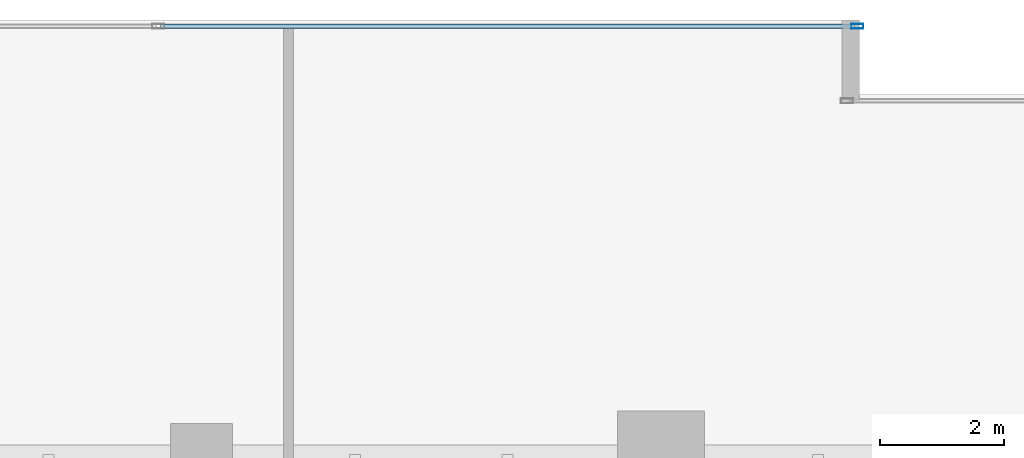
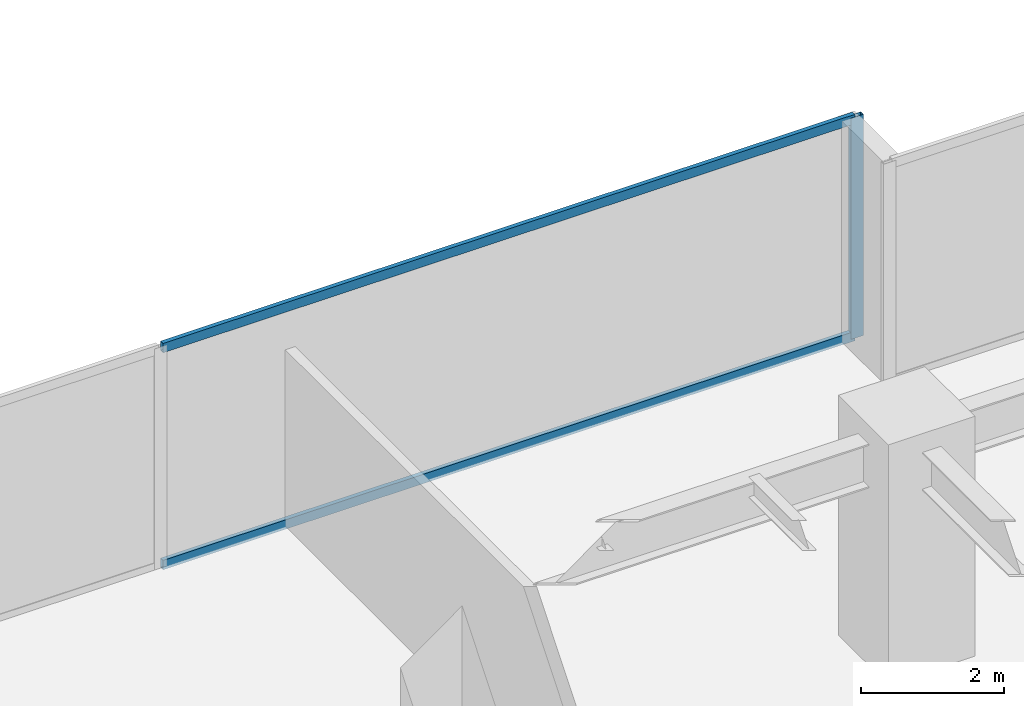
# One storey, part 16 of 35: 3 members, 1 element without a shape of its own.
"""IFC4 building model written with IfcOpenShell, lengths in metres."""

import ifcopenshell
import ifcopenshell.guid

model = None  # the IFC model being written
_history = None  # IfcOwnerHistory: only IFC2X3 demands one
_inside = {}  # id of a spatial element -> (the spatial element, [elements in it])
_under = {}  # id of a project, library or spatial element -> (it, [spatial elements below it])
_declared = {}  # id of a project -> (the project, [libraries it declares])
_typed = {}  # id of a type object -> (the type object, [elements of that type])
_made_of = {}  # id of a material, layer set ... -> (it, [elements and type objects made of it])


def new_model(schema):
    """Start an empty IFC model of exactly this schema.

    Asked for "IFC4X3", IfcOpenShell would pick the latest addendum, in which some entities
    have other attributes; the version numbers below select the first issue.
    IFC2X3 requires an IfcOwnerHistory on every rooted entity: one is made here for all.
    """
    global model, _history
    if schema == "IFC4X3":
        model = ifcopenshell.file(schema_version=(4, 3, 0, 0))
    else:
        model = ifcopenshell.file(schema=schema)
    _inside.clear()
    _under.clear()
    _declared.clear()
    _typed.clear()
    _made_of.clear()
    _history = None
    if model.schema == "IFC2X3":
        org = make("IfcOrganization", Name="unknown")
        user = make(
            "IfcPersonAndOrganization",
            ThePerson=make("IfcPerson", FamilyName="unknown"),
            TheOrganization=org,
        )
        app = make(
            "IfcApplication",
            ApplicationDeveloper=org,
            Version="unknown",
            ApplicationFullName="unknown",
            ApplicationIdentifier="unknown",
        )
        _history = make(
            "IfcOwnerHistory",
            OwningUser=user,
            OwningApplication=app,
            ChangeAction="ADDED",
            CreationDate=0,
        )
    return model


def make(cls, **values):
    """One entity of the class cls with the attributes given. An attribute that is None is left unset."""
    return model.create_entity(
        cls, **{name: value for name, value in values.items() if value is not None}
    )


def rooted(cls, **values):
    """An entity with a GlobalId (a new one), such as an element, a storey or a relation."""
    return make(cls, GlobalId=ifcopenshell.guid.new(), OwnerHistory=_history, **values)


def si_unit(unit_type, name, prefix=None):
    """IfcSIUnit, for example si_unit("LENGTHUNIT", "METRE", prefix="MILLI")."""
    return make("IfcSIUnit", UnitType=unit_type, Prefix=prefix, Name=name)


def assignment(units):
    """IfcUnitAssignment: the units of a project."""
    return None if units is None else make("IfcUnitAssignment", Units=units)


def point(xyz):
    """IfcCartesianPoint."""
    return None if xyz is None else make("IfcCartesianPoint", Coordinates=xyz)


def direction(xyz):
    """IfcDirection."""
    return None if xyz is None else make("IfcDirection", DirectionRatios=xyz)


def frame(location, z_axis=None, x_axis=None):
    """IfcAxis2Placement3D, a coordinate frame: its origin and axes. An axis left out is left unset."""
    return make(
        "IfcAxis2Placement3D",
        Location=point(location),
        Axis=direction(z_axis),
        RefDirection=direction(x_axis),
    )


def frame_2d(location, x_axis=None):
    """IfcAxis2Placement2D, a coordinate frame in the plane: its origin and x axis."""
    return make(
        "IfcAxis2Placement2D", Location=point(location), RefDirection=direction(x_axis)
    )


def origin():
    """The frame at (0, 0, 0) with its axes left unset."""
    return frame((0.0, 0.0, 0.0))


def origin_2d():
    """The frame at (0, 0) in the plane with its x axis left unset."""
    return frame_2d((0.0, 0.0))


def place(relative_to, where):
    """IfcLocalPlacement: puts the frame where relative to a parent placement (None: the world)."""
    return make(
        "IfcLocalPlacement", PlacementRelTo=relative_to, RelativePlacement=where
    )


def context(
    kind, dimensions, precision=None, world=None, true_north=None, identifier=None
):
    """IfcGeometricRepresentationContext, for example the 3D "Model" context."""
    return make(
        "IfcGeometricRepresentationContext",
        ContextIdentifier=identifier,
        ContextType=kind,
        CoordinateSpaceDimension=dimensions,
        Precision=precision,
        WorldCoordinateSystem=world,
        TrueNorth=true_north,
    )


def subcontext(parent, identifier, kind, view, scale=None):
    """IfcGeometricRepresentationSubContext, for example "Body" below "Model"."""
    return make(
        "IfcGeometricRepresentationSubContext",
        ContextIdentifier=identifier,
        ContextType=kind,
        ParentContext=parent,
        TargetScale=scale,
        TargetView=view,
    )


def project(units=None, contexts=None):
    """IfcProject with its units and contexts."""
    return rooted(
        "IfcProject",
        Name="project",
        RepresentationContexts=contexts,
        UnitsInContext=assignment(units),
    )


def spatial(cls, under=None, at=None, **own):
    """A site, building, storey or space (cls), placed at a placement, below another one or the project."""
    s = rooted(cls, ObjectPlacement=at, **own)
    if under is not None:
        _under.setdefault(under.id(), (under, []))[1].append(s)
    return s


def profile(cls, at=None, kind="AREA", **sizes):
    """A parametric profile (cls). Its sizes go by their IFC names, for example OverallWidth=200.0."""
    return make(cls, ProfileType=kind, Position=at, **sizes)


def hollow_rectangle(**sizes):
    """IfcRectangleHollowProfileDef."""
    return profile("IfcRectangleHollowProfileDef", **sizes)


def extrude(swept, where, along, depth):
    """IfcExtrudedAreaSolid: the profile swept, set in the frame where, extruded along a direction by depth."""
    return make(
        "IfcExtrudedAreaSolid",
        SweptArea=swept,
        Position=where,
        ExtrudedDirection=direction(along),
        Depth=depth,
    )


def shape(context_of_items, identifier, shape_type, items):
    """IfcShapeRepresentation: the items that make up one representation, for example the "Body"."""
    return make(
        "IfcShapeRepresentation",
        ContextOfItems=context_of_items,
        RepresentationIdentifier=identifier,
        RepresentationType=shape_type,
        Items=items,
    )


def source(mapping_origin, context_of_items, identifier, shape_type, items):
    """IfcRepresentationMap: a shape defined once, which mapped items show again and again."""
    return make(
        "IfcRepresentationMap",
        MappingOrigin=mapping_origin,
        MappedRepresentation=shape(context_of_items, identifier, shape_type, items),
    )


def transform(
    local_origin,
    x_axis=None,
    y_axis=None,
    z_axis=None,
    scale=None,
    scale2=None,
    scale3=None,
    uniform=True,
):
    """IfcCartesianTransformationOperator3D, or its non-uniform kind. x_axis, y_axis, z_axis: its Axis1, 2, 3."""
    if uniform:
        return make(
            "IfcCartesianTransformationOperator3D",
            Axis1=direction(x_axis),
            Axis2=direction(y_axis),
            LocalOrigin=point(local_origin),
            Scale=scale,
            Axis3=direction(z_axis),
        )
    return make(
        "IfcCartesianTransformationOperator3DnonUniform",
        Axis1=direction(x_axis),
        Axis2=direction(y_axis),
        LocalOrigin=point(local_origin),
        Scale=scale,
        Axis3=direction(z_axis),
        Scale2=scale2,
        Scale3=scale3,
    )


def mapped(mapping_source, mapping_target):
    """IfcMappedItem: shows the shape of a source again, moved by a transform."""
    return make(
        "IfcMappedItem", MappingSource=mapping_source, MappingTarget=mapping_target
    )


def material(Name=None, Category=None):
    """IfcMaterial."""
    return make("IfcMaterial", Name=Name, Category=Category)


def layer(
    of_material, thickness, ventilated=None, Name=None, Category=None, Priority=None
):
    """IfcMaterialLayer: one layer of a wall or slab, of a material (None: an air gap)."""
    return make(
        "IfcMaterialLayer",
        Material=of_material,
        LayerThickness=thickness,
        IsVentilated=ventilated,
        Name=Name,
        Category=Category,
        Priority=Priority,
    )


def layer_set(layers, Name=None):
    """IfcMaterialLayerSet."""
    return make("IfcMaterialLayerSet", MaterialLayers=layers, LayerSetName=Name)


def material_profile(
    of_material, cross_section, Name=None, Category=None, Priority=None
):
    """IfcMaterialProfile: a cross section and its material."""
    return make(
        "IfcMaterialProfile",
        Name=Name,
        Material=of_material,
        Profile=cross_section,
        Priority=Priority,
        Category=Category,
    )


def profile_set(profiles, Name=None, composite=None):
    """IfcMaterialProfileSet."""
    return make(
        "IfcMaterialProfileSet",
        Name=Name,
        MaterialProfiles=profiles,
        CompositeProfile=composite,
    )


def made_of(thing, what):
    """Note that an element or type object is made of a material, layer set ...; save() writes the relation."""
    if what is not None:
        _made_of.setdefault(what.id(), (what, []))[1].append(thing)
    return thing


def type_object(cls, material=None, **own):
    """A type object (cls), such as IfcWallType, which elements share."""
    return made_of(rooted(cls, **own), material)


def type_shapes(of_type, sources):
    """Give a type object the sources (RepresentationMaps) that its elements show as mapped items."""
    of_type.RepresentationMaps = sources


def element(
    cls,
    number,
    at=None,
    inside=None,
    cuts=None,
    type_object=None,
    material=None,
    context=None,
    identifier="Body",
    shape_type=None,
    held_by="IfcProductDefinitionShape",
    body=None,
    shapes=None,
    **own,
):
    """One element of the class cls, such as IfcWall. Its Tag is "e" and its number.

    at: its placement. inside: the storey or other place that contains it. cuts: it is an
    opening in that element (IfcRelVoidsElement). A single representation is given by context,
    identifier, shape_type and body (its items); several are given by shapes. held_by: the class
    of the entity that holds the representations. save() writes the other relations.
    """
    e = rooted(cls, Tag="e%d" % number, ObjectPlacement=at, **own)
    if body is not None:
        shapes = [shape(context, identifier, shape_type, body)]
    if shapes is not None:
        e.Representation = make(held_by, Representations=shapes)
    if inside is not None:
        _inside.setdefault(inside.id(), (inside, []))[1].append(e)
    if cuts is not None:
        rooted(
            "IfcRelVoidsElement", RelatingBuildingElement=cuts, RelatedOpeningElement=e
        )
    if type_object is not None:
        _typed.setdefault(type_object.id(), (type_object, []))[1].append(e)
    return made_of(e, material)


def aggregate(whole, parts):
    """IfcRelAggregates: a whole, such as a stair, and the parts it consists of."""
    return rooted("IfcRelAggregates", RelatingObject=whole, RelatedObjects=parts)


def save(model, path):
    """Write the relations noted so far, then the file.

    IfcRelAggregates (storeys below a building ...), IfcRelContainedInSpatialStructure (elements
    in a storey), IfcRelDefinesByType, IfcRelAssociatesMaterial and IfcRelDeclares: one each for
    every whole, place, type object, material and project.
    """
    for whole, parts in _under.values():
        aggregate(whole, parts)
    for where, things in _inside.values():
        rooted(
            "IfcRelContainedInSpatialStructure",
            RelatedElements=things,
            RelatingStructure=where,
        )
    for kind, things in _typed.values():
        rooted("IfcRelDefinesByType", RelatedObjects=things, RelatingType=kind)
    for what, things in _made_of.values():
        rooted("IfcRelAssociatesMaterial", RelatedObjects=things, RelatingMaterial=what)
    for by, libraries in _declared.values():
        rooted("IfcRelDeclares", RelatingContext=by, RelatedDefinitions=libraries)
    model.write(path)


model = new_model("IFC4")

# Units and contexts
model_context = context("Model", 3, precision=1e-05, world=origin(), true_north=direction((0.0, 1.0)))
body_context = subcontext(model_context, "Body", "Model", "MODEL_VIEW")
ifc_project = project(units=[si_unit("LENGTHUNIT", "METRE"), si_unit("AREAUNIT", "SQUARE_METRE"), si_unit("VOLUMEUNIT", "CUBIC_METRE"), si_unit("PLANEANGLEUNIT", "RADIAN"), si_unit("MASSUNIT", "GRAM", prefix="KILO")], contexts=[model_context])

# Site, building, storey
site_placement = place(None, origin())
site = spatial("IfcSite", under=ifc_project, at=site_placement, CompositionType="ELEMENT")
building_placement = place(site_placement, origin())
building = spatial("IfcBuilding", under=site, at=building_placement, Name="Haelvirn Gate Laboratories", CompositionType="ELEMENT")
storey_placement = place(building_placement, frame((0.0, 0.0, 90.800048828125)))
storey = spatial("IfcBuildingStorey", under=building, at=storey_placement, Name="L22", CompositionType="ELEMENT", Elevation=90.800048828125)

# Curtain wall, members
ifc_material_1 = material(Name="Anodised bronze unitised aluminium & triple low-E glass", Category="aluminium")
ifc_layer = layer(ifc_material_1, 0.18408203125, Name="CW-SYS-2")
ifc_layer_set = layer_set([ifc_layer], Name="Anodised bronze unitised aluminium & triple low-E glass")
curtain_wall_type = type_object("IfcCurtainWallType", Name="CW-SYS-2", PredefinedType="NOTDEFINED", material=ifc_layer_set)
curtain_wall_placement = place(storey_placement, origin())
curtain_wall = element("IfcCurtainWall", 1, at=curtain_wall_placement, inside=storey, type_object=curtain_wall_type, Name="L22 Unitised Curtain Wall CW-L22-P0-E14-1", PredefinedType="NOTDEFINED")
ifc_material_2 = material(Name="Extruded aluminium 6063-T6 (anodised bronze)", Category="aluminium")
ifc_material_profile_1 = material_profile(ifc_material_2, hollow_rectangle(XDim=0.074951171875, YDim=0.199951171875, WallThickness=0.0048828125, at=origin_2d()), Name="CWM-200x75x5")
ifc_profile_set_1 = profile_set([ifc_material_profile_1], Name="Extruded aluminium 6063-T6 (anodised bronze)")
member_type_1 = type_object("IfcMemberType", Name="CWM-T200", PredefinedType="MULLION", material=ifc_profile_set_1)
shared_shape_1 = source(origin(), body_context, "Body", "SweptSolid", [
    extrude(hollow_rectangle(XDim=0.074951171875, YDim=0.199951171875, WallThickness=0.0048828125, at=origin_2d()), origin(), (0.0, 0.0, 1.0), 3.780029296875),
])
type_shapes(member_type_1, [shared_shape_1])
member_1_placement = place(storey_placement, frame((25.362548828125, 48.5, 0.0), z_axis=(0.0, 0.0, 1.0), x_axis=(0.0, 1.0, 0.0)))
member_1 = element("IfcMember", 2, at=member_1_placement, type_object=member_type_1, Name="CW2 mullion 3", PredefinedType="MULLION", context=body_context, shape_type="MappedRepresentation", body=[
    mapped(shared_shape_1, transform((0.0, 0.0, 0.0), scale=1.0)),
])
ifc_material_profile_2 = material_profile(ifc_material_2, hollow_rectangle(XDim=0.070068359375, YDim=0.159912109375, WallThickness=0.0048828125, at=origin_2d()), Name="CWT-160x70x5")
ifc_profile_set_2 = profile_set([ifc_material_profile_2], Name="Extruded aluminium 6063-T6 (anodised bronze)")
member_type_2 = type_object("IfcMemberType", Name="CWT-T160", PredefinedType="USERDEFINED", material=ifc_profile_set_2)
shared_shape_2 = source(origin(), body_context, "Body", "SweptSolid", [
    extrude(hollow_rectangle(XDim=0.070068359375, YDim=0.159912109375, WallThickness=0.0048828125, at=origin_2d()), origin(), (0.0, 0.0, 1.0), 11.1875),
])
type_shapes(member_type_2, [shared_shape_2])
member_2_placement = place(storey_placement, frame((14.137451171875, 48.5, 0.034912109375), z_axis=(1.0, 0.0, 0.0), x_axis=(0.0, 1.0, 0.0)))
member_2 = element("IfcMember", 3, at=member_2_placement, type_object=member_type_2, Name="CW2 transom 2.1", ObjectType="TRANSOM", PredefinedType="USERDEFINED", context=body_context, shape_type="MappedRepresentation", body=[
    mapped(shared_shape_2, transform((0.0, 0.0, 0.0), scale=1.0)),
])
member_3_placement = place(storey_placement, frame((14.137451171875, 48.5, 3.744873046875), z_axis=(1.0, 0.0, 0.0), x_axis=(0.0, 1.0, 0.0)))
member_3 = element("IfcMember", 4, at=member_3_placement, type_object=member_type_2, Name="CW2 transom 2.2", ObjectType="TRANSOM", PredefinedType="USERDEFINED", context=body_context, shape_type="MappedRepresentation", body=[
    mapped(shared_shape_2, transform((0.0, 0.0, 0.0), scale=1.0)),
])
aggregate(curtain_wall, [member_1, member_2, member_3])

save(model, "model.ifc")
